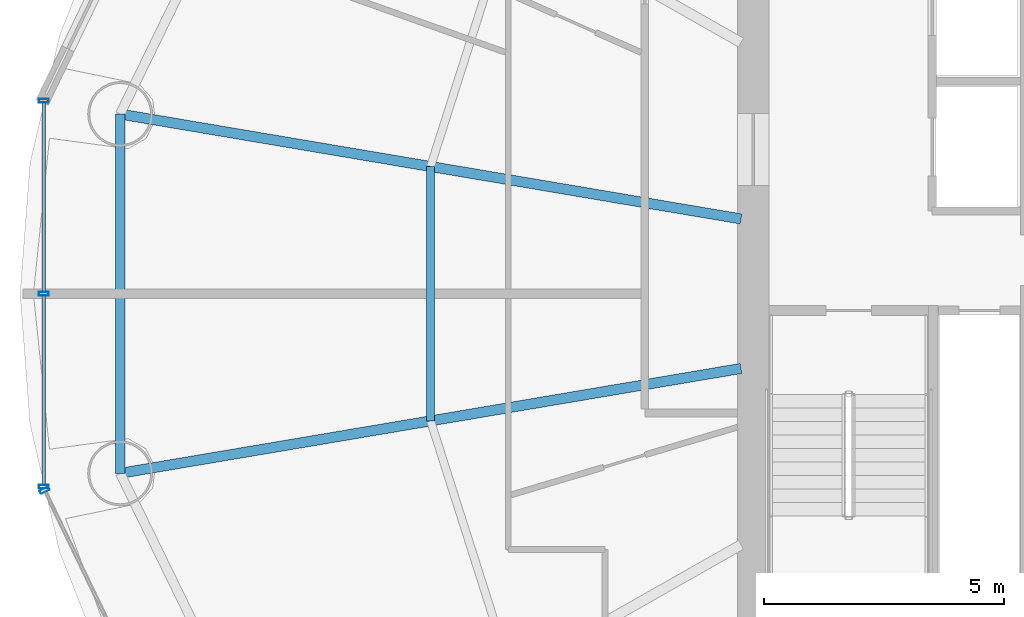
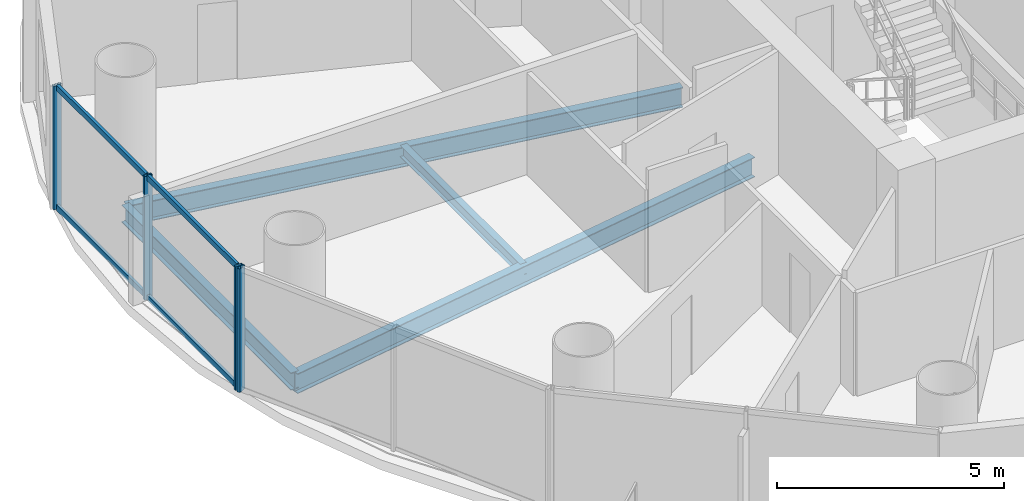
# One storey, part 7 of 27: 8 members, 4 beams, 2 elements without a shape of their own.
"""IFC4 building model written with IfcOpenShell, lengths in metres."""

from ifc_helpers import new_model, si_unit, direction, frame, origin, origin_2d, place, context, subcontext, project, spatial, hollow_rectangle, i_section, extrude, source, transform, mapped, material, material_profile, profile_set, type_object, element, aggregate, save


model = new_model("IFC4")

# Units and contexts
model_context = context("Model", 3, precision=1e-05, world=origin(), true_north=direction((-0.2419218956, 0.970295726276)))
body_context = subcontext(model_context, "Body", "Model", "MODEL_VIEW")
ifc_project = project(units=[si_unit("LENGTHUNIT", "METRE"), si_unit("AREAUNIT", "SQUARE_METRE"), si_unit("VOLUMEUNIT", "CUBIC_METRE"), si_unit("PLANEANGLEUNIT", "RADIAN"), si_unit("MASSUNIT", "GRAM", prefix="KILO")], contexts=[model_context])

# Site, building, storey
site_placement = place(None, origin())
site = spatial("IfcSite", under=ifc_project, at=site_placement, CompositionType="ELEMENT")
building_placement = place(site_placement, origin())
building = spatial("IfcBuilding", under=site, at=building_placement, Name="Cobrevalo Terracotta Tower", CompositionType="ELEMENT")
storey_placement = place(building_placement, frame((0.0, 0.0, 157.0)))
storey = spatial("IfcBuildingStorey", under=building, at=storey_placement, Name="L41", CompositionType="ELEMENT", Elevation=157.0)

# Beams
ifc_material_1 = material(Name="Steel S355", Category="steel")
ifc_material_profile_1 = material_profile(ifc_material_1, i_section(OverallWidth=0.2109375, OverallDepth=0.5390625, WebThickness=0.01171875, FlangeThickness=0.018798828125, at=origin_2d()), Name="W 530x109")
ifc_profile_set_1 = profile_set([ifc_material_profile_1], Name="Steel S355")
beam_type_1 = type_object("IfcBeamType", Name="Structural Beam W 530x109 (Steel S355)", PredefinedType="BEAM", material=ifc_profile_set_1)
for number, where, z_axis, x_axis, name in (
    (1, (15.88330078125, 30.535888671875, -0.53955078125), (0.986032794282, -0.166551279191, 0.0), (0.166551279191, 0.986032794282, 0.0), "L41 radial floor girder 08"),
    (2, (15.88330078125, 23.06396484375, -0.53955078125), (0.986029732232, 0.166569406417, 0.0), (-0.166569406417, 0.986029732232, 0.0), "L41 radial floor girder 09"),
):
    element("IfcBeam", number, at=place(storey_placement, frame(where, z_axis=z_axis, x_axis=x_axis)), inside=storey, type_object=beam_type_1, Name=name, PredefinedType="BEAM", context=body_context, shape_type="SweptSolid", body=[
        extrude(i_section(OverallWidth=0.2109375, OverallDepth=0.5390625, WebThickness=0.01171875, FlangeThickness=0.018798828125, at=origin_2d()), origin(), (0.0, 0.0, 1.0), 13.094482421875),
    ])
ifc_material_profile_2 = material_profile(ifc_material_1, i_section(OverallWidth=0.1650390625, OverallDepth=0.31005859375, WebThickness=0.005859375, FlangeThickness=0.009765625, at=origin_2d()), Name="W 310x38.7")
ifc_profile_set_2 = profile_set([ifc_material_profile_2], Name="Steel S355")
beam_type_2 = type_object("IfcBeamType", Name="Structural Joist W 310x38.7 (Steel S355)", PredefinedType="JOIST", material=ifc_profile_set_2)
beam_1_placement = place(storey_placement, frame((22.339111328125, 29.445556640625, -0.425048828125), z_axis=(0.0, -1.0, 0.0), x_axis=(1.0, 0.0, 0.0)))
element("IfcBeam", 3, at=beam_1_placement, inside=storey, type_object=beam_type_2, Name="L41 circumferential secondary floor joist 08", PredefinedType="JOIST", context=body_context, shape_type="SweptSolid", body=[
    extrude(i_section(OverallWidth=0.1650390625, OverallDepth=0.31005859375, WebThickness=0.005859375, FlangeThickness=0.009765625, at=origin_2d()), origin(), (0.0, 0.0, 1.0), 5.291015625),
])
ifc_material_profile_3 = material_profile(ifc_material_1, i_section(OverallWidth=0.194091796875, OverallDepth=0.468994140625, WebThickness=0.011474609375, FlangeThickness=0.0205078125, at=origin_2d()), Name="W 460x106")
ifc_profile_set_3 = profile_set([ifc_material_profile_3], Name="Steel S355")
beam_type_3 = type_object("IfcBeamType", Name="Structural Spandrel W 460x106 (Steel S355)", PredefinedType="SPANDREL", material=ifc_profile_set_3)
beam_2_placement = place(storey_placement, frame((15.88330078125, 30.535888671875, -0.50439453125), z_axis=(0.0, -1.0, 0.0), x_axis=(1.0, 0.0, 0.0)))
element("IfcBeam", 4, at=beam_2_placement, inside=storey, type_object=beam_type_3, Name="L41 perimeter ring spandrel 08", PredefinedType="SPANDREL", context=body_context, shape_type="SweptSolid", body=[
    extrude(i_section(OverallWidth=0.194091796875, OverallDepth=0.468994140625, WebThickness=0.011474609375, FlangeThickness=0.0205078125, at=origin_2d()), origin(), (0.0, 0.0, 1.0), 7.471923828125),
])

# Curtain wall, members
ifc_material_2 = material(Name="Anodized aluminium", Category="aluminium")
curtain_wall_type = type_object("IfcCurtainWallType", Name="Mid-tower high-wind unitised curtain wall CW-U2", PredefinedType="NOTDEFINED", material=ifc_material_2)
curtain_wall_1_placement = place(storey_placement, origin())
curtain_wall_1 = element("IfcCurtainWall", 5, at=curtain_wall_1_placement, inside=storey, type_object=curtain_wall_type, Name="L41 curtain wall CW-L41-S08", PredefinedType="NOTDEFINED")
ifc_material_profile_4 = material_profile(ifc_material_2, hollow_rectangle(XDim=0.074951171875, YDim=0.199951171875, WallThickness=0.0048828125, at=origin_2d()), Name="CWM 75x200")
ifc_profile_set_4 = profile_set([ifc_material_profile_4], Name="Anodized aluminium")
member_type_1 = type_object("IfcMemberType", Name="Lower/mid tower unitised mullion 75x200", PredefinedType="MULLION", material=ifc_profile_set_4)
shared_shape_1 = source(origin(), body_context, "Body", "SweptSolid", [
    extrude(hollow_rectangle(XDim=0.074951171875, YDim=0.199951171875, WallThickness=0.0048828125, at=origin_2d()), origin(), (0.0, 0.0, 1.0), 3.330078125),
])
member_1_placement = place(storey_placement, frame((14.29443359375, 30.81201171875, 0.0), z_axis=(0.0, 0.0, 1.0), x_axis=(0.0, -1.0, 0.0)))
member_1 = element("IfcMember", 6, at=member_1_placement, type_object=member_type_1, Name="CW-L41-S08 vertical mullion 01", PredefinedType="MULLION", context=body_context, shape_type="MappedRepresentation", body=[
    mapped(shared_shape_1, transform((0.0, 0.0, 0.0), scale=1.0)),
])
member_2_placement = place(storey_placement, frame((14.29443359375, 26.800048828125, 0.0), z_axis=(0.0, 0.0, 1.0), x_axis=(0.0, -1.0, 0.0)))
member_2 = element("IfcMember", 7, at=member_2_placement, type_object=member_type_1, Name="CW-L41-S08 vertical mullion 02", PredefinedType="MULLION", context=body_context, shape_type="MappedRepresentation", body=[
    mapped(shared_shape_1, transform((0.0, 0.0, 0.0), scale=1.0)),
])
member_3_placement = place(storey_placement, frame((14.29443359375, 22.7880859375, 0.0), z_axis=(0.0, 0.0, 1.0), x_axis=(0.0, -1.0, 0.0)))
member_3 = element("IfcMember", 8, at=member_3_placement, type_object=member_type_1, Name="CW-L41-S08 vertical mullion 03", PredefinedType="MULLION", context=body_context, shape_type="MappedRepresentation", body=[
    mapped(shared_shape_1, transform((0.0, 0.0, 0.0), scale=1.0)),
])

# Curtain wall, member
curtain_wall_2_placement = place(storey_placement, origin())
curtain_wall_2 = element("IfcCurtainWall", 9, at=curtain_wall_2_placement, inside=storey, type_object=curtain_wall_type, Name="L41 curtain wall CW-L41-S09", PredefinedType="NOTDEFINED")
member_4_placement = place(storey_placement, frame((14.311767578125, 22.7119140625, 0.0), z_axis=(0.0, 0.0, 1.0), x_axis=(0.434209440271, -0.900811945957, 0.0)))
member_4 = element("IfcMember", 10, at=member_4_placement, type_object=member_type_1, Name="CW-L41-S09 vertical mullion 01", PredefinedType="MULLION", context=body_context, shape_type="MappedRepresentation", body=[
    mapped(shared_shape_1, transform((0.0, 0.0, 0.0), scale=1.0)),
])
aggregate(curtain_wall_2, [member_4])

# Member
ifc_material_profile_5 = material_profile(ifc_material_2, hollow_rectangle(XDim=0.074951171875, YDim=0.14990234375, WallThickness=0.00439453125, at=origin_2d()), Name="CWT 75x150")
ifc_profile_set_5 = profile_set([ifc_material_profile_5], Name="Anodized aluminium")
member_type_2 = type_object("IfcMemberType", Name="Tower unitised aluminium transom 75x150", PredefinedType="USERDEFINED", material=ifc_profile_set_5)
shared_shape_2 = source(origin(), body_context, "Body", "SweptSolid", [
    extrude(hollow_rectangle(XDim=0.074951171875, YDim=0.14990234375, WallThickness=0.00439453125, at=origin_2d()), origin(), (0.0, 0.0, 1.0), 3.931884765625),
])
member_5_placement = place(storey_placement, frame((14.29443359375, 30.77197265625, 0.050048828125), z_axis=(0.0, -1.0, 0.0), x_axis=(1.0, 0.0, 0.0)))
member_5 = element("IfcMember", 11, at=member_5_placement, type_object=member_type_2, Name="CW-L41-S08 transom B01-T1", ObjectType="TRANSOM", PredefinedType="USERDEFINED", context=body_context, shape_type="MappedRepresentation", body=[
    mapped(shared_shape_2, transform((0.0, 0.0, 0.0), scale=1.0)),
])

member_6_placement = place(storey_placement, frame((14.29443359375, 30.77197265625, 3.280029296875), z_axis=(0.0, -1.0, 0.0), x_axis=(1.0, 0.0, 0.0)))
member_6 = element("IfcMember", 12, at=member_6_placement, type_object=member_type_2, Name="CW-L41-S08 transom B01-T2", ObjectType="TRANSOM", PredefinedType="USERDEFINED", context=body_context, shape_type="MappedRepresentation", body=[
    mapped(shared_shape_2, transform((0.0, 0.0, 0.0), scale=1.0)),
])

shared_shape_3 = source(origin(), body_context, "Body", "SweptSolid", [
    extrude(hollow_rectangle(XDim=0.074951171875, YDim=0.14990234375, WallThickness=0.00439453125, at=origin_2d()), origin(), (0.0, 0.0, 1.0), 3.93212890625),
])
member_7_placement = place(storey_placement, frame((14.29443359375, 26.760009765625, 0.050048828125), z_axis=(0.0, -1.0, 0.0), x_axis=(1.0, 0.0, 0.0)))
member_7 = element("IfcMember", 13, at=member_7_placement, type_object=member_type_2, Name="CW-L41-S08 transom B02-T1", ObjectType="TRANSOM", PredefinedType="USERDEFINED", context=body_context, shape_type="MappedRepresentation", body=[
    mapped(shared_shape_3, transform((0.0, 0.0, 0.0), scale=1.0)),
])

member_8_placement = place(storey_placement, frame((14.29443359375, 26.760009765625, 3.280029296875), z_axis=(0.0, -1.0, 0.0), x_axis=(1.0, 0.0, 0.0)))
member_8 = element("IfcMember", 14, at=member_8_placement, type_object=member_type_2, Name="CW-L41-S08 transom B02-T2", ObjectType="TRANSOM", PredefinedType="USERDEFINED", context=body_context, shape_type="MappedRepresentation", body=[
    mapped(shared_shape_3, transform((0.0, 0.0, 0.0), scale=1.0)),
])

aggregate(curtain_wall_1, [member_1, member_2, member_3, member_5, member_6, member_7, member_8])

save(model, "model.ifc")
